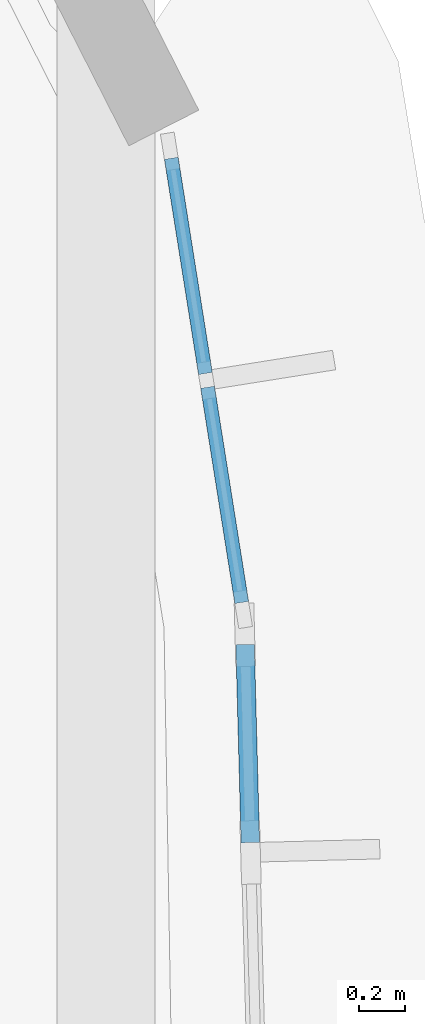
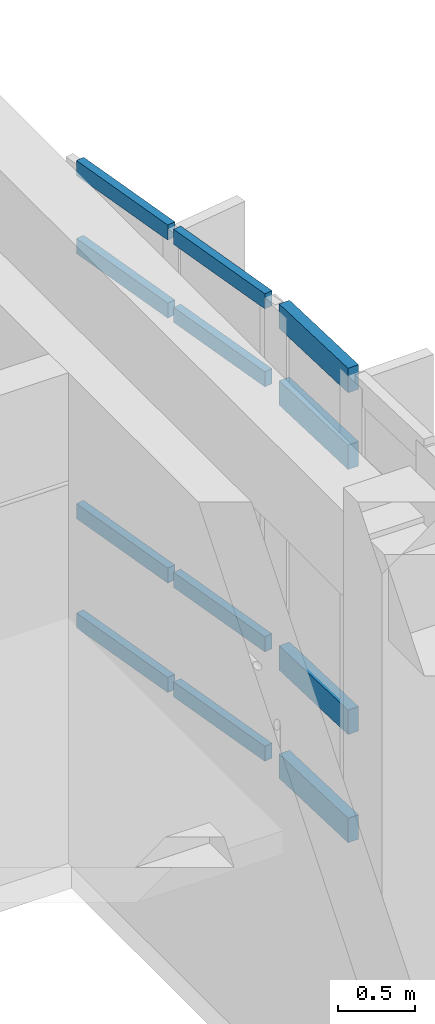
# One storey, part 59 of 111: 12 members, 2 elements without a shape of their own.
"""IFC4 building model written with IfcOpenShell, lengths in metres."""

from ifc_helpers import new_model, si_unit, direction, frame, origin, origin_2d, place, context, subcontext, project, spatial, rectangle, extrude, material, material_profile, profile_set, type_object, element, aggregate, save


model = new_model("IFC4")

# Units and contexts
model_context = context("Model", 3, precision=1e-05, world=origin(), true_north=direction((0.0, 1.0)))
body_context = subcontext(model_context, "Body", "Model", "MODEL_VIEW")
ifc_project = project(units=[si_unit("LENGTHUNIT", "METRE"), si_unit("AREAUNIT", "SQUARE_METRE"), si_unit("VOLUMEUNIT", "CUBIC_METRE"), si_unit("PLANEANGLEUNIT", "RADIAN"), si_unit("MASSUNIT", "GRAM", prefix="KILO")], contexts=[model_context])

# Site, building, storey
site_placement = place(None, origin())
site = spatial("IfcSite", under=ifc_project, at=site_placement, CompositionType="ELEMENT")
building_placement = place(site_placement, origin())
building = spatial("IfcBuilding", under=site, at=building_placement, Name="Corveleigh Park Community Centre", CompositionType="ELEMENT")
storey_placement = place(building_placement, frame((0.0, 0.0, 4.800048828125)))
storey = spatial("IfcBuildingStorey", under=building, at=storey_placement, Name="L01", CompositionType="ELEMENT", Elevation=4.800048828125)

# Curtain wall, members
ifc_material = material(Name="Anodised aluminium 6063-T6", Category="aluminium")
curtain_wall_type = type_object("IfcCurtainWallType", Name="CW-SYS-V3-UPP", PredefinedType="NOTDEFINED", material=ifc_material)
curtain_wall_1_placement = place(storey_placement, origin())
curtain_wall_1 = element("IfcCurtainWall", 1, at=curtain_wall_1_placement, inside=storey, type_object=curtain_wall_type, Name="V3 L01 Curtain Wall 241", PredefinedType="NOTDEFINED")
ifc_material_profile_1 = material_profile(ifc_material, rectangle(XDim=0.06005859375, YDim=0.1201171875, at=origin_2d()), Name="ALU-T60x120", Category="aluminium")
ifc_profile_set_1 = profile_set([ifc_material_profile_1], Name="Anodised aluminium 6063-T6")
member_type_1 = type_object("IfcMemberType", Name="CWT-60x120", PredefinedType="USERDEFINED", material=ifc_profile_set_1)
member_1_placement = place(storey_placement, frame((108.282470703125, 23.40380859375, 0.030029296875), z_axis=(0.156599499137, -0.987662187628, 0.0), x_axis=(0.987662187628, 0.156599499137, 0.0)))
member_1 = element("IfcMember", 2, at=member_1_placement, type_object=member_type_1, Name="CW06 transom 1.1", ObjectType="TRANSOM", PredefinedType="USERDEFINED", context=body_context, shape_type="SweptSolid", body=[
    extrude(rectangle(XDim=0.06005859375, YDim=0.1201171875, at=origin_2d()), origin(), (0.0, 0.0, 1.0), 0.94482421875),
])
member_2_placement = place(storey_placement, frame((108.282470703125, 23.40380859375, 0.89990234375), z_axis=(0.156599499137, -0.987662187628, 0.0), x_axis=(0.987662187628, 0.156599499137, 0.0)))
member_2 = element("IfcMember", 3, at=member_2_placement, type_object=member_type_1, Name="CW06 transom 1.2", ObjectType="TRANSOM", PredefinedType="USERDEFINED", context=body_context, shape_type="SweptSolid", body=[
    extrude(rectangle(XDim=0.06005859375, YDim=0.1201171875, at=origin_2d()), origin(), (0.0, 0.0, 1.0), 0.94482421875),
])
member_3_placement = place(storey_placement, frame((108.282470703125, 23.40380859375, 3.0068359375), z_axis=(0.156599499137, -0.987662187628, 0.0), x_axis=(0.987662187628, 0.156599499137, 0.0)))
member_3 = element("IfcMember", 4, at=member_3_placement, type_object=member_type_1, Name="CW06 transom 1.3", ObjectType="TRANSOM", PredefinedType="USERDEFINED", context=body_context, shape_type="SweptSolid", body=[
    extrude(rectangle(XDim=0.06005859375, YDim=0.1201171875, at=origin_2d()), origin(), (0.0, 0.0, 1.0), 0.94482421875),
])
member_4_placement = place(storey_placement, frame((108.282470703125, 23.40380859375, 3.626953125), z_axis=(0.156599499137, -0.987662187628, 0.0), x_axis=(0.987662187628, 0.156599499137, 0.0)))
member_4 = element("IfcMember", 5, at=member_4_placement, type_object=member_type_1, Name="CW06 transom 1.4", ObjectType="TRANSOM", PredefinedType="USERDEFINED", context=body_context, shape_type="SweptSolid", body=[
    extrude(rectangle(XDim=0.06005859375, YDim=0.1201171875, at=origin_2d()), origin(), (0.0, 0.0, 1.0), 0.94482421875),
])
member_5_placement = place(storey_placement, frame((108.439697265625, 22.411376953125, 0.030029296875), z_axis=(0.156599499137, -0.987662187628, 0.0), x_axis=(0.987662187628, 0.156599499137, 0.0)))
member_5 = element("IfcMember", 6, at=member_5_placement, type_object=member_type_1, Name="CW06 transom 2.1", ObjectType="TRANSOM", PredefinedType="USERDEFINED", context=body_context, shape_type="SweptSolid", body=[
    extrude(rectangle(XDim=0.06005859375, YDim=0.1201171875, at=origin_2d()), origin(), (0.0, 0.0, 1.0), 0.94482421875),
])
member_6_placement = place(storey_placement, frame((108.439697265625, 22.411376953125, 0.89990234375), z_axis=(0.156599499137, -0.987662187628, 0.0), x_axis=(0.987662187628, 0.156599499137, 0.0)))
member_6 = element("IfcMember", 7, at=member_6_placement, type_object=member_type_1, Name="CW06 transom 2.2", ObjectType="TRANSOM", PredefinedType="USERDEFINED", context=body_context, shape_type="SweptSolid", body=[
    extrude(rectangle(XDim=0.06005859375, YDim=0.1201171875, at=origin_2d()), origin(), (0.0, 0.0, 1.0), 0.94482421875),
])
member_7_placement = place(storey_placement, frame((108.439697265625, 22.411376953125, 3.0068359375), z_axis=(0.156599499137, -0.987662187628, 0.0), x_axis=(0.987662187628, 0.156599499137, 0.0)))
member_7 = element("IfcMember", 8, at=member_7_placement, type_object=member_type_1, Name="CW06 transom 2.3", ObjectType="TRANSOM", PredefinedType="USERDEFINED", context=body_context, shape_type="SweptSolid", body=[
    extrude(rectangle(XDim=0.06005859375, YDim=0.1201171875, at=origin_2d()), origin(), (0.0, 0.0, 1.0), 0.94482421875),
])
member_8_placement = place(storey_placement, frame((108.439697265625, 22.411376953125, 3.626953125), z_axis=(0.156599499137, -0.987662187628, 0.0), x_axis=(0.987662187628, 0.156599499137, 0.0)))
member_8 = element("IfcMember", 9, at=member_8_placement, type_object=member_type_1, Name="CW06 transom 2.4", ObjectType="TRANSOM", PredefinedType="USERDEFINED", context=body_context, shape_type="SweptSolid", body=[
    extrude(rectangle(XDim=0.06005859375, YDim=0.1201171875, at=origin_2d()), origin(), (0.0, 0.0, 1.0), 0.94482421875),
])
aggregate(curtain_wall_1, [member_1, member_2, member_3, member_4, member_5, member_6, member_7, member_8])

curtain_wall_2_placement = place(storey_placement, origin())
curtain_wall_2 = element("IfcCurtainWall", 10, at=curtain_wall_2_placement, inside=storey, type_object=curtain_wall_type, Name="V3 L01 Curtain Wall 240", PredefinedType="NOTDEFINED")
ifc_material_profile_2 = material_profile(ifc_material, rectangle(XDim=0.080078125, YDim=0.195068359375, at=origin_2d()), Name="ALU-T80x195", Category="aluminium")
ifc_profile_set_2 = profile_set([ifc_material_profile_2], Name="Anodised aluminium 6063-T6")
member_type_2 = type_object("IfcMemberType", Name="CWT-80x195", PredefinedType="USERDEFINED", material=ifc_profile_set_2)
member_9_placement = place(storey_placement, frame((108.602294921875, 21.296142578125, 0.0400390625), z_axis=(0.026433751141, -0.999650567349, 0.0), x_axis=(0.999650567349, 0.026433751141, 0.0)))
member_9 = element("IfcMember", 11, at=member_9_placement, type_object=member_type_2, Name="CW06 transom 1.1", ObjectType="TRANSOM", PredefinedType="USERDEFINED", context=body_context, shape_type="SweptSolid", body=[
    extrude(rectangle(XDim=0.080078125, YDim=0.195068359375, at=origin_2d()), origin(), (0.0, 0.0, 1.0), 0.85888671875),
])
member_10_placement = place(storey_placement, frame((108.602294921875, 21.296142578125, 0.89990234375), z_axis=(0.026433751141, -0.999650567349, 0.0), x_axis=(0.999650567349, 0.026433751141, 0.0)))
member_10 = element("IfcMember", 12, at=member_10_placement, type_object=member_type_2, Name="CW06 transom 1.2", ObjectType="TRANSOM", PredefinedType="USERDEFINED", context=body_context, shape_type="SweptSolid", body=[
    extrude(rectangle(XDim=0.080078125, YDim=0.195068359375, at=origin_2d()), origin(), (0.0, 0.0, 1.0), 0.85888671875),
])
member_11_placement = place(storey_placement, frame((108.602294921875, 21.296142578125, 3.0068359375), z_axis=(0.026433751141, -0.999650567349, 0.0), x_axis=(0.999650567349, 0.026433751141, 0.0)))
member_11 = element("IfcMember", 13, at=member_11_placement, type_object=member_type_2, Name="CW06 transom 1.3", ObjectType="TRANSOM", PredefinedType="USERDEFINED", context=body_context, shape_type="SweptSolid", body=[
    extrude(rectangle(XDim=0.080078125, YDim=0.195068359375, at=origin_2d()), origin(), (0.0, 0.0, 1.0), 0.85888671875),
])
member_12_placement = place(storey_placement, frame((108.602294921875, 21.296142578125, 3.616943359375), z_axis=(0.026433751141, -0.999650567349, 0.0), x_axis=(0.999650567349, 0.026433751141, 0.0)))
member_12 = element("IfcMember", 14, at=member_12_placement, type_object=member_type_2, Name="CW06 transom 1.4", ObjectType="TRANSOM", PredefinedType="USERDEFINED", context=body_context, shape_type="SweptSolid", body=[
    extrude(rectangle(XDim=0.080078125, YDim=0.195068359375, at=origin_2d()), origin(), (0.0, 0.0, 1.0), 0.85888671875),
])
aggregate(curtain_wall_2, [member_9, member_10, member_11, member_12])

save(model, "model.ifc")
